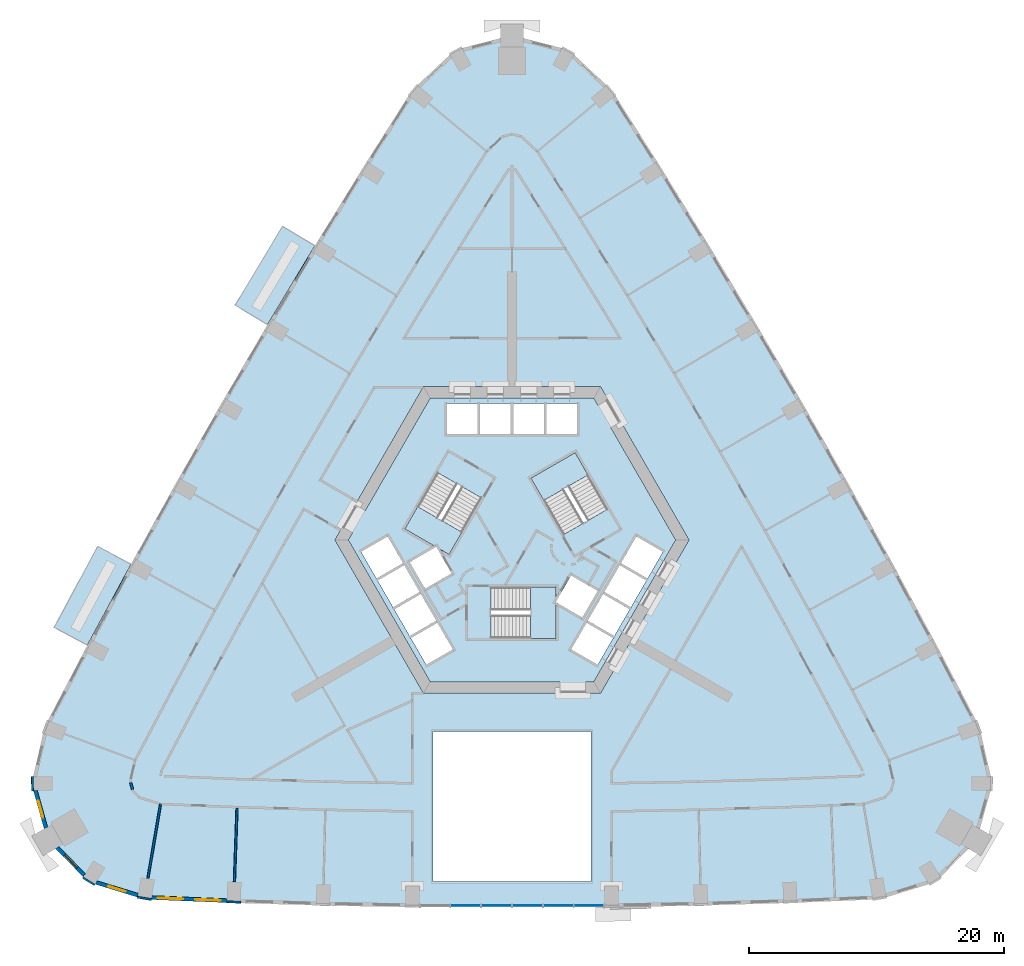
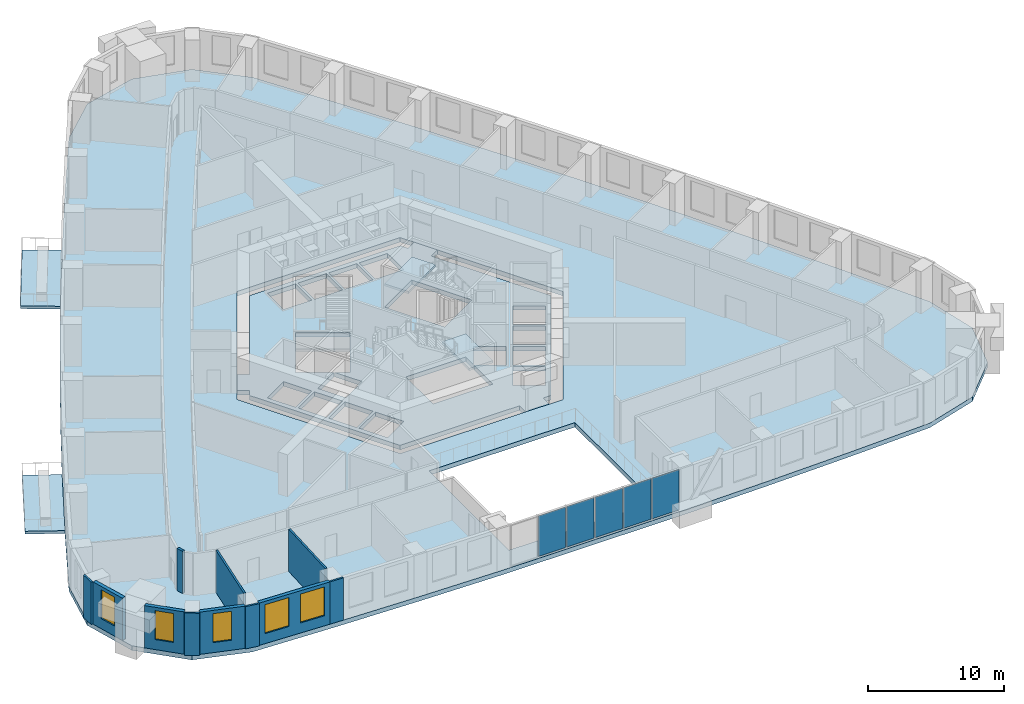
# One storey, part 3 of 16: 11 walls, 7 slabs, 5 plates, 5 windows, 5 openings, 4 elements without a shape of their own.
"""IFC4 building model written with IfcOpenShell, lengths in metres."""

from ifc_helpers import new_model, si_unit, direction, frame, frame_2d, origin, origin_2d, place, context, subcontext, project, spatial, polyline, rectangle, outline, extrude, material, layer, layer_set, type_object, element, fill, aggregate, save


model = new_model("IFC4")

# Units and contexts
model_context = context("Model", 3, precision=1e-05, world=origin(), true_north=direction((0.0, 1.0)))
body_context = subcontext(model_context, "Body", "Model", "MODEL_VIEW")
ifc_project = project(units=[si_unit("LENGTHUNIT", "METRE"), si_unit("AREAUNIT", "SQUARE_METRE"), si_unit("VOLUMEUNIT", "CUBIC_METRE"), si_unit("PLANEANGLEUNIT", "RADIAN"), si_unit("MASSUNIT", "GRAM", prefix="KILO")], contexts=[model_context])

# Site, building, storey
site_placement = place(None, origin())
site = spatial("IfcSite", under=ifc_project, at=site_placement, CompositionType="ELEMENT")
building_placement = place(site_placement, origin())
building = spatial("IfcBuilding", under=site, at=building_placement, Name="Entoto Arch Interchange Tower", CompositionType="ELEMENT")
storey_placement = place(building_placement, frame((0.0, 0.0, 95.0)))
storey = spatial("IfcBuildingStorey", under=building, at=storey_placement, Name="L20", CompositionType="ELEMENT", Elevation=95.0)

# Slabs
ifc_material_1 = material(Name="Board-marked precast concrete C50/60", Category="concrete")
ifc_layer_1 = layer(ifc_material_1, 0.25)
ifc_layer_set_1 = layer_set([ifc_layer_1], Name="Board-marked precast concrete C50/60")
slab_type_1 = type_object("IfcSlabType", Name="BALCONY DECK PRECAST 250", PredefinedType="FLOOR", material=ifc_layer_set_1)
slab_1_placement = place(storey_placement, frame((0.0, 0.0, -0.25)))
element("IfcSlab", 1, at=slab_1_placement, inside=storey, type_object=slab_type_1, Name="Planted balcony NW-03 L20", PredefinedType="FLOOR", context=body_context, shape_type="SweptSolid", body=[
    extrude(outline(polyline([(-15.43310546875, 25.532958984375), (-19.14111328125, 19.363037109375), (-21.669921875, 20.883056640625), (-17.9619140625, 27.052978515625), (-15.43310546875, 25.532958984375)])), origin(), (0.0, 0.0, 1.0), 0.25),
])
slab_2_placement = place(storey_placement, frame((0.0, 0.0, -0.25)))
element("IfcSlab", 2, at=slab_2_placement, inside=storey, type_object=slab_type_1, Name="Planted balcony NW-07 L20", PredefinedType="FLOOR", context=body_context, shape_type="SweptSolid", body=[
    extrude(outline(polyline([(-29.8291015625, 0.59912109375), (-33.243896484375, -5.738037109375), (-35.841064453125, -4.339111328125), (-32.426025390625, 1.998046875), (-29.8291015625, 0.59912109375)])), origin(), (0.0, 0.0, 1.0), 0.25),
])
ifc_material_2 = material(Name="Concrete C40/50", Category="concrete")
ifc_layer_2 = layer(ifc_material_2, 0.39990234375)
ifc_layer_set_2 = layer_set([ifc_layer_2], Name="Concrete C40/50")
slab_type_2 = type_object("IfcSlabType", Name="Core floor slab 400 C40/50", PredefinedType="FLOOR", material=ifc_layer_set_2)
slab_3_placement = place(storey_placement, frame((0.0, 0.0, -0.39990234375)))
element("IfcSlab", 3, at=slab_3_placement, inside=storey, type_object=slab_type_2, Name="Core floor slab L20", PredefinedType="FLOOR", context=body_context, shape_type="SweptSolid", body=[
    extrude(outline(polyline([(5.75, -9.5), (3.75, -9.5), (3.75, -8.60009765625), (-6.408935546875, -8.60009765625), (-12.81689453125, 2.5), (-12.488037109375, 3.070068359375), (-13.26708984375, 3.52001953125), (-12.26708984375, 5.251953125), (-11.488037109375, 4.802001953125), (-6.408935546875, 13.60009765625), (6.408935546875, 13.60009765625), (6.738037109375, 13.030029296875), (7.51708984375, 13.47998046875), (8.51708984375, 11.748046875), (7.738037109375, 11.298095703125), (12.81689453125, 2.5), (6.408935546875, -8.60009765625), (5.75, -8.60009765625), (5.75, -9.5)]), holes=[polyline([(-4.637939453125, -6.06689453125), (-5.837890625, -3.988037109375), (-7.916015625, -5.18798828125), (-6.716064453125, -7.26708984375), (-4.637939453125, -6.06689453125)]), polyline([(-5.93798828125, -3.81494140625), (-7.137939453125, -1.737060546875), (-9.216064453125, -2.93701171875), (-8.01611328125, -5.014892578125), (-5.93798828125, -3.81494140625)]), polyline([(5.5048828125, -3.56494140625), (6.705078125, -1.487060546875), (4.626953125, -0.287109375), (3.449951171875, -2.324951171875), (3.449951171875, -1.199951171875), (-1.64990234375, -1.199951171875), (-1.64990234375, -5.199951171875), (3.449951171875, -5.199951171875), (3.449951171875, -2.3779296875), (5.5048828125, -3.56494140625)]), polyline([(-7.238037109375, -1.56298828125), (-8.43798828125, 0.514892578125), (-10.51611328125, -0.68505859375), (-9.31591796875, -2.762939453125), (-7.238037109375, -1.56298828125)]), polyline([(-4.72705078125, -0.113037109375), (-5.904052734375, 1.925048828125), (-4.928955078125, 1.362060546875), (-2.37890625, 5.779052734375), (-5.843017578125, 7.779052734375), (-8.39306640625, 3.362060546875), (-5.949951171875, 1.951904296875), (-8.0048828125, 0.764892578125), (-6.804931640625, -1.31298828125), (-4.72705078125, -0.113037109375)]), polyline([(-8.5380859375, 0.68798828125), (-9.738037109375, 2.76708984375), (-11.81591796875, 1.56689453125), (-10.615966796875, -0.511962890625), (-8.5380859375, 0.68798828125)]), polyline([(-5.10009765625, 10.800048828125), (-2.699951171875, 10.800048828125), (-2.699951171875, 13.199951171875), (-5.10009765625, 13.199951171875), (-5.10009765625, 10.800048828125)]), polyline([(-2.5, 10.800048828125), (-0.10009765625, 10.800048828125), (-0.10009765625, 13.199951171875), (-2.5, 13.199951171875), (-2.5, 10.800048828125)]), polyline([(5.837890625, -3.988037109375), (4.637939453125, -6.06689453125), (6.716064453125, -7.26708984375), (7.916015625, -5.18798828125), (5.837890625, -3.988037109375)]), polyline([(7.137939453125, -1.737060546875), (5.93798828125, -3.81494140625), (8.01611328125, -5.014892578125), (9.216064453125, -2.93701171875), (7.137939453125, -1.737060546875)]), polyline([(8.43798828125, 0.514892578125), (7.238037109375, -1.56298828125), (9.31591796875, -2.762939453125), (10.51611328125, -0.68505859375), (8.43798828125, 0.514892578125)]), polyline([(9.738037109375, 2.76708984375), (8.5380859375, 0.68798828125), (10.615966796875, -0.511962890625), (11.81591796875, 1.56689453125), (9.738037109375, 2.76708984375)]), polyline([(4.029052734375, 2.9208984375), (7.492919921875, 4.9208984375), (4.943115234375, 9.337890625), (1.47900390625, 7.337890625), (4.029052734375, 2.9208984375)]), polyline([(0.10009765625, 13.199951171875), (0.10009765625, 10.800048828125), (2.5, 10.800048828125), (2.5, 13.199951171875), (0.10009765625, 13.199951171875)]), polyline([(2.699951171875, 13.199951171875), (2.699951171875, 10.800048828125), (5.10009765625, 10.800048828125), (5.10009765625, 13.199951171875), (2.699951171875, 13.199951171875)])]), origin(), (0.0, 0.0, 1.0), 0.39990234375),
])

# Stair, slab
stair_type = type_object("IfcStairType", Name="EXIT STAIR RC 1800", PredefinedType="HALF_TURN_STAIR", material=ifc_material_2)
stair_1_placement = place(storey_placement, origin())
stair_1 = element("IfcStair", 4, at=stair_1_placement, inside=storey, type_object=stair_type, Name="L20 Exit stair S", PredefinedType="HALF_TURN_STAIR")
ifc_layer_3 = layer(ifc_material_2, 0.199951171875)
ifc_layer_set_3 = layer_set([ifc_layer_3], Name="Concrete C40/50")
slab_type_3 = type_object("IfcSlabType", Name="EXIT STAIR LANDING RC 200", PredefinedType="LANDING", material=ifc_layer_set_3)
slab_4_placement = place(storey_placement, frame((0.0, 0.0, 1.89990234375)))
slab_4 = element("IfcSlab", 5, at=slab_4_placement, type_object=slab_type_3, Name="ST-S landing 1", PredefinedType="LANDING", context=body_context, shape_type="SweptSolid", body=[
    extrude(outline(polyline([(1.429931640625, -5.199951171875), (3.449951171875, -5.199951171875), (3.449951171875, -1.199951171875), (1.429931640625, -1.199951171875), (1.429931640625, -5.199951171875)])), origin(), (0.0, 0.0, 1.0), 0.2001953125),
])
aggregate(stair_1, [slab_4])

stair_2_placement = place(storey_placement, origin())
stair_2 = element("IfcStair", 6, at=stair_2_placement, inside=storey, type_object=stair_type, Name="L20 Exit stair NE", PredefinedType="HALF_TURN_STAIR")
slab_5_placement = place(storey_placement, frame((0.0, 0.0, 1.89990234375)))
slab_5 = element("IfcSlab", 7, at=slab_5_placement, type_object=slab_type_3, Name="ST-NE landing 1", PredefinedType="LANDING", context=body_context, shape_type="SweptSolid", body=[
    extrude(outline(polyline([(5.953369140625, 7.58837890625), (4.943359375, 9.337890625), (1.479248046875, 7.337890625), (2.4892578125, 5.58837890625), (5.953369140625, 7.58837890625)])), origin(), (0.0, 0.0, 1.0), 0.2001953125),
])
aggregate(stair_2, [slab_5])

stair_3_placement = place(storey_placement, origin())
stair_3 = element("IfcStair", 8, at=stair_3_placement, inside=storey, type_object=stair_type, Name="L20 Exit stair NW", PredefinedType="HALF_TURN_STAIR")
slab_6_placement = place(storey_placement, frame((0.0, 0.0, 1.89990234375)))
slab_6 = element("IfcSlab", 9, at=slab_6_placement, type_object=slab_type_3, Name="ST-NW landing 1", PredefinedType="LANDING", context=body_context, shape_type="SweptSolid", body=[
    extrude(outline(polyline([(-7.38330078125, 5.111572265625), (-8.393310546875, 3.3623046875), (-4.92919921875, 1.3623046875), (-3.919189453125, 3.111572265625), (-7.38330078125, 5.111572265625)])), origin(), (0.0, 0.0, 1.0), 0.2001953125),
])
aggregate(stair_3, [slab_6])

# Curtain wall, plates
ifc_material_3 = material(Name="Aluminium, anodised", Category="aluminium")
curtain_wall_type = type_object("IfcCurtainWallType", Name="CURTAIN WALL ATRIUM", PredefinedType="NOTDEFINED", material=ifc_material_3)
curtain_wall_placement = place(storey_placement, origin())
curtain_wall = element("IfcCurtainWall", 10, at=curtain_wall_placement, inside=storey, type_object=curtain_wall_type, Name="Atrium glazing S-04 L20", PredefinedType="NOTDEFINED")
ifc_material_4 = material(Name="Clear glass, low-e double glazed", Category="glass")
ifc_layer_4 = layer(ifc_material_4, 0.031982421875)
ifc_layer_set_4 = layer_set([ifc_layer_4], Name="Clear glass, low-e double glazed")
plate_type = type_object("IfcPlateType", Name="GLAZING PANEL ATRIUM 32", PredefinedType="CURTAIN_PANEL", material=ifc_layer_set_4)
plate_1_placement = place(storey_placement, frame((-3.625, -26.1259765625, 0.080078125), z_axis=(0.0, 0.0, 1.0), x_axis=(1.0, 0.0, 0.0)))
plate_1 = element("IfcPlate", 11, at=plate_1_placement, type_object=plate_type, Name="CWA panel 2.1", PredefinedType="CURTAIN_PANEL", context=body_context, shape_type="SweptSolid", body=[
    extrude(rectangle(XDim=2.316650390625, YDim=0.031982421875, at=origin_2d()), origin(), (0.0, 0.0, 1.0), 3.639892578125),
])
plate_2_placement = place(storey_placement, frame((-1.208251953125, -26.1259765625, 0.080078125), z_axis=(0.0, 0.0, 1.0), x_axis=(1.0, 0.0, 0.0)))
plate_2 = element("IfcPlate", 12, at=plate_2_placement, type_object=plate_type, Name="CWA panel 3.1", PredefinedType="CURTAIN_PANEL", context=body_context, shape_type="SweptSolid", body=[
    extrude(rectangle(XDim=2.316650390625, YDim=0.031982421875, at=origin_2d()), origin(), (0.0, 0.0, 1.0), 3.639892578125),
])
plate_3_placement = place(storey_placement, frame((1.208251953125, -26.1259765625, 0.080078125), z_axis=(0.0, 0.0, 1.0), x_axis=(1.0, 0.0, 0.0)))
plate_3 = element("IfcPlate", 13, at=plate_3_placement, type_object=plate_type, Name="CWA panel 4.1", PredefinedType="CURTAIN_PANEL", context=body_context, shape_type="SweptSolid", body=[
    extrude(rectangle(XDim=2.316650390625, YDim=0.031982421875, at=origin_2d()), origin(), (0.0, 0.0, 1.0), 3.639892578125),
])
plate_4_placement = place(storey_placement, frame((3.625, -26.1259765625, 0.080078125), z_axis=(0.0, 0.0, 1.0), x_axis=(1.0, 0.0, 0.0)))
plate_4 = element("IfcPlate", 14, at=plate_4_placement, type_object=plate_type, Name="CWA panel 5.1", PredefinedType="CURTAIN_PANEL", context=body_context, shape_type="SweptSolid", body=[
    extrude(rectangle(XDim=2.316650390625, YDim=0.031982421875, at=origin_2d()), origin(), (0.0, 0.0, 1.0), 3.639892578125),
])
plate_5_placement = place(storey_placement, frame((6.0166015625, -26.1259765625, 0.080078125), z_axis=(0.0, 0.0, 1.0), x_axis=(1.0, 0.0, 0.0)))
plate_5 = element("IfcPlate", 15, at=plate_5_placement, type_object=plate_type, Name="CWA panel 6.1", PredefinedType="CURTAIN_PANEL", context=body_context, shape_type="SweptSolid", body=[
    extrude(rectangle(XDim=2.2666015625, YDim=0.031982421875, at=origin_2d()), origin(), (0.0, 0.0, 1.0), 3.639892578125),
])
aggregate(curtain_wall, [plate_1, plate_2, plate_3, plate_4, plate_5])

# Slab
ifc_layer_5 = layer(ifc_material_2, 0.39990234375)
ifc_layer_set_5 = layer_set([ifc_layer_5], Name="Concrete C40/50")
slab_type_4 = type_object("IfcSlabType", Name="Post-tensioned flat plate 400 C40/50", PredefinedType="FLOOR", material=ifc_layer_set_5)
slab_7_placement = place(storey_placement, frame((0.0, 0.0, -0.39990234375)))
element("IfcSlab", 16, at=slab_7_placement, inside=storey, type_object=slab_type_4, Name="Floor slab L20", PredefinedType="FLOOR", context=body_context, shape_type="SweptSolid", body=[
    extrude(outline(polyline([(-28.783935546875, -25.626953125), (-21.7890625, -25.9140625), (-14.794921875, -26.1220703125), (-7.800048828125, -26.2509765625), (7.800048828125, -26.2509765625), (14.794921875, -26.1220703125), (21.7890625, -25.9140625), (28.783935546875, -25.626953125), (33.1708984375, -24.284912109375), (36.376953125, -21.0029296875), (37.616943359375, -16.5849609375), (36.5849609375, -12.114013671875), (33.243896484375, -5.738037109375), (29.8291015625, 0.59912109375), (26.339111328125, 6.89501953125), (22.77587890625, 13.14990234375), (19.14111328125, 19.363037109375), (15.43310546875, 25.532958984375), (11.653076171875, 31.658935546875), (7.802001953125, 37.740966796875), (4.446044921875, 40.868896484375), (0.0, 42.0048828125), (-4.446044921875, 40.868896484375), (-7.802001953125, 37.740966796875), (-11.653076171875, 31.658935546875), (-15.43310546875, 25.532958984375), (-19.14111328125, 19.363037109375), (-22.77587890625, 13.14990234375), (-26.339111328125, 6.89501953125), (-29.8291015625, 0.59912109375), (-33.243896484375, -5.738037109375), (-36.5849609375, -12.114013671875), (-37.616943359375, -16.5849609375), (-36.376953125, -21.0029296875), (-33.1708984375, -24.284912109375), (-28.783935546875, -25.626953125)]), holes=[polyline([(6.199951171875, -24.2509765625), (6.199951171875, -12.5), (-6.199951171875, -12.5), (-6.199951171875, -24.2509765625), (6.199951171875, -24.2509765625)]), polyline([(13.85595703125, 2.5), (6.927978515625, 14.5), (-6.927978515625, 14.5), (-13.85595703125, 2.5), (-6.927978515625, -9.5), (6.927978515625, -9.5), (13.85595703125, 2.5)])]), origin(), (0.0, 0.0, 1.0), 0.39990234375),
])

# Walls
ifc_material_5 = material(Name="Gypsum board partition on steel studs", Category="steel")
ifc_layer_6 = layer(ifc_material_5, 0.14990234375)
ifc_layer_set_6 = layer_set([ifc_layer_6], Name="Gypsum board partition on steel studs")
wall_type_1 = type_object("IfcWallType", Name="PARTITION 150", PredefinedType="PARTITIONING", material=ifc_layer_set_6)
wall_1_placement = place(storey_placement, frame((-27.512939453125, -18.173095703125, 0.0), z_axis=(0.0, 0.0, 1.0), x_axis=(-0.168033262309, -0.985781326034, 0.0)))
element("IfcWall", 17, at=wall_1_placement, inside=storey, type_object=wall_type_1, Name="wall:L20:p129", PredefinedType="PARTITIONING", context=body_context, shape_type="SweptSolid", body=[
    extrude(rectangle(XDim=5.8916015625, YDim=0.14990234375, at=frame_2d((2.94580078125, 0.0))), origin(), (0.0, 0.0, 1.0), 3.800048828125),
])
wall_2_placement = place(storey_placement, frame((-21.527099609375, -18.51904296875, 0.0), z_axis=(0.0, 0.0, 1.0), x_axis=(-0.035408838092, -0.999372910472, 0.0)))
element("IfcWall", 18, at=wall_2_placement, inside=storey, type_object=wall_type_1, Name="wall:L20:p130", PredefinedType="PARTITIONING", context=body_context, shape_type="SweptSolid", body=[
    extrude(rectangle(XDim=5.729736328125, YDim=0.14990234375, at=frame_2d((2.86474609375, 0.0))), origin(), (0.0, 0.0, 1.0), 3.800048828125),
])
ifc_layer_7 = layer(ifc_material_5, 0.199951171875)
ifc_layer_set_7 = layer_set([ifc_layer_7], Name="Gypsum board partition on steel studs")
wall_type_2 = type_object("IfcWallType", Name="PARTITION 200", PredefinedType="PARTITIONING", material=ifc_layer_set_7)
wall_3_placement = place(storey_placement, frame((-29.700927734375, -17.035888671875, 0.0), z_axis=(0.0, 0.0, 1.0), x_axis=(-0.269792639482, 0.962918444979, 0.0)))
element("IfcWall", 19, at=wall_3_placement, inside=storey, type_object=wall_type_2, Name="wall:L20:p061", PredefinedType="PARTITIONING", context=body_context, shape_type="SweptSolid", body=[
    extrude(rectangle(XDim=0.556640625, YDim=0.199951171875, at=frame_2d((0.2783203125, 0.0))), origin(), (0.0, 0.0, 1.0), 3.800048828125),
])

# Wall, openings, windows
ifc_material_6 = material(Name="Welded tuff (ignimbrite) cladding, warm buff", Category="masonry")
ifc_layer_8 = layer(ifc_material_6, 0.300048828125)
ifc_layer_set_8 = layer_set([ifc_layer_8], Name="Welded tuff (ignimbrite) cladding, warm buff")
wall_type_3 = type_object("IfcWallType", Name="STONE INFILL WALL 300", PredefinedType="STANDARD", material=ifc_layer_set_8)
wall_4_placement = place(storey_placement, frame((-28.205078125, -25.5009765625, 0.0), z_axis=(0.0, 0.0, 1.0), x_axis=(0.999159360905, -0.040994774244, 0.0)))
wall_4 = element("IfcWall", 20, at=wall_4_placement, inside=storey, type_object=wall_type_3, Name="Facade wall S-01 L20", PredefinedType="STANDARD", context=body_context, shape_type="SweptSolid", body=[
    extrude(rectangle(XDim=5.8779296875, YDim=0.300048828125, at=frame_2d((2.93896484375, 0.0))), origin(), (0.0, 0.0, 1.0), 3.800048828125),
])
opening_1_placement = place(wall_4_placement, frame((0.468994140625, 0.0, 0.89990234375)))
opening_1 = element("IfcOpeningElement", 21, at=opening_1_placement, cuts=wall_4, Name="Opening WO-C", PredefinedType="OPENING", context=body_context, shape_type="SweptSolid", body=[
    extrude(rectangle(XDim=2.0, YDim=2.60009765625, at=frame_2d((1.0, 1.300048828125))), frame((0.0, 0.16015625, 0.0), z_axis=(0.0, -1.0, 0.0), x_axis=(1.0, 0.0, 0.0)), (0.0, 0.0, 1.0), 0.320068359375),
])
opening_2_placement = place(wall_4_placement, frame((3.407958984375, 0.0, 0.89990234375)))
opening_2 = element("IfcOpeningElement", 22, at=opening_2_placement, cuts=wall_4, Name="Opening WO-C", PredefinedType="OPENING", context=body_context, shape_type="SweptSolid", body=[
    extrude(rectangle(XDim=2.0, YDim=2.60009765625, at=frame_2d((1.0, 1.300048828125))), frame((0.0, 0.16015625, 0.0), z_axis=(0.0, -1.0, 0.0), x_axis=(1.0, 0.0, 0.0)), (0.0, 0.0, 1.0), 0.320068359375),
])
window_type_1 = type_object("IfcWindowType", Name="WINDOW WO-C 2000x2600", PartitioningType="DOUBLE_PANEL_VERTICAL", PredefinedType="WINDOW", material=ifc_material_4)
window_1_placement = place(opening_1_placement, origin())
window_1 = element("IfcWindow", 23, at=window_1_placement, inside=storey, type_object=window_type_1, Name="Window WO-C S-01 L20", OverallHeight=2.60009765625, OverallWidth=2.0, PartitioningType="SINGLE_PANEL", PredefinedType="WINDOW", context=body_context, shape_type="SweptSolid", body=[
    extrude(rectangle(XDim=2.0, YDim=2.60009765625, at=frame_2d((1.0, 1.300048828125))), frame((0.0, 0.030029296875, 0.0), z_axis=(0.0, -1.0, 0.0), x_axis=(1.0, 0.0, 0.0)), (0.0, 0.0, 1.0), 0.06005859375),
])
fill(opening_1, window_1)
window_2_placement = place(opening_2_placement, origin())
window_2 = element("IfcWindow", 24, at=window_2_placement, inside=storey, type_object=window_type_1, Name="Window WO-C S-01 L20", OverallHeight=2.60009765625, OverallWidth=2.0, PartitioningType="SINGLE_PANEL", PredefinedType="WINDOW", context=body_context, shape_type="SweptSolid", body=[
    extrude(rectangle(XDim=2.0, YDim=2.60009765625, at=frame_2d((1.0, 1.300048828125))), frame((0.0, 0.030029296875, 0.0), z_axis=(0.0, -1.0, 0.0), x_axis=(1.0, 0.0, 0.0)), (0.0, 0.0, 1.0), 0.06005859375),
])
fill(opening_2, window_2)

# Wall, opening, window
wall_5_placement = place(storey_placement, frame((-37.30908203125, -17.126953125, 0.0), z_axis=(0.0, 0.0, 1.0), x_axis=(0.270176120308, -0.962810918102, 0.0)))
wall_5 = element("IfcWall", 25, at=wall_5_placement, inside=storey, type_object=wall_type_3, Name="Facade wall SW-02 L20", PredefinedType="STANDARD", context=body_context, shape_type="SweptSolid", body=[
    extrude(rectangle(XDim=3.017333984375, YDim=0.300048828125, at=frame_2d((1.5087890625, 0.0))), origin(), (0.0, 0.0, 1.0), 3.800048828125),
])
opening_3_placement = place(wall_5_placement, frame((0.80908203125, 0.0, 0.89990234375)))
opening_3 = element("IfcOpeningElement", 26, at=opening_3_placement, cuts=wall_5, Name="Opening WO-B", PredefinedType="OPENING", context=body_context, shape_type="SweptSolid", body=[
    extrude(rectangle(XDim=1.39990234375, YDim=2.60009765625, at=frame_2d((0.699951171875, 1.300048828125))), frame((0.0, 0.16015625, 0.0), z_axis=(0.0, -1.0, 0.0), x_axis=(1.0, 0.0, 0.0)), (0.0, 0.0, 1.0), 0.320068359375),
])
window_type_2 = type_object("IfcWindowType", Name="WINDOW WO-B 1400x2600", PartitioningType="DOUBLE_PANEL_VERTICAL", PredefinedType="WINDOW", material=ifc_material_4)
window_3_placement = place(opening_3_placement, origin())
window_3 = element("IfcWindow", 27, at=window_3_placement, inside=storey, type_object=window_type_2, Name="Window WO-B SW-02 L20", OverallHeight=2.60009765625, OverallWidth=1.39990234375, PartitioningType="SINGLE_PANEL", PredefinedType="WINDOW", context=body_context, shape_type="SweptSolid", body=[
    extrude(rectangle(XDim=1.39990234375, YDim=2.60009765625, at=frame_2d((0.699951171875, 1.300048828125))), frame((0.0, 0.030029296875, 0.0), z_axis=(0.0, -1.0, 0.0), x_axis=(1.0, 0.0, 0.0)), (0.0, 0.0, 1.0), 0.06005859375),
])
fill(opening_3, window_3)

wall_6_placement = place(storey_placement, frame((-35.594970703125, -21.589111328125, 0.0), z_axis=(0.0, 0.0, 1.0), x_axis=(0.698928244773, -0.715191798512, 0.0)))
wall_6 = element("IfcWall", 28, at=wall_6_placement, inside=storey, type_object=wall_type_3, Name="Facade wall SW-03 L20", PredefinedType="STANDARD", context=body_context, shape_type="SweptSolid", body=[
    extrude(rectangle(XDim=3.017333984375, YDim=0.300048828125, at=frame_2d((1.5087890625, 0.0))), origin(), (0.0, 0.0, 1.0), 3.800048828125),
])
opening_4_placement = place(wall_6_placement, frame((0.80908203125, 0.0, 0.89990234375)))
opening_4 = element("IfcOpeningElement", 29, at=opening_4_placement, cuts=wall_6, Name="Opening WO-B", PredefinedType="OPENING", context=body_context, shape_type="SweptSolid", body=[
    extrude(rectangle(XDim=1.39990234375, YDim=2.60009765625, at=frame_2d((0.699951171875, 1.300048828125))), frame((0.0, 0.16015625, 0.0), z_axis=(0.0, -1.0, 0.0), x_axis=(1.0, 0.0, 0.0)), (0.0, 0.0, 1.0), 0.320068359375),
])
window_4_placement = place(opening_4_placement, origin())
window_4 = element("IfcWindow", 30, at=window_4_placement, inside=storey, type_object=window_type_2, Name="Window WO-B SW-03 L20", OverallHeight=2.60009765625, OverallWidth=1.39990234375, PartitioningType="SINGLE_PANEL", PredefinedType="WINDOW", context=body_context, shape_type="SweptSolid", body=[
    extrude(rectangle(XDim=1.39990234375, YDim=2.60009765625, at=frame_2d((0.699951171875, 1.300048828125))), frame((0.0, 0.030029296875, 0.0), z_axis=(0.0, -1.0, 0.0), x_axis=(1.0, 0.0, 0.0)), (0.0, 0.0, 1.0), 0.06005859375),
])
fill(opening_4, window_4)

wall_7_placement = place(storey_placement, frame((-32.549072265625, -24.319091796875, 0.0), z_axis=(0.0, 0.0, 1.0), x_axis=(0.956317661006, -0.292329490895, 0.0)))
wall_7 = element("IfcWall", 31, at=wall_7_placement, inside=storey, type_object=wall_type_3, Name="Facade wall SW-04 L20", PredefinedType="STANDARD", context=body_context, shape_type="SweptSolid", body=[
    extrude(rectangle(XDim=3.409912109375, YDim=0.300048828125, at=frame_2d((1.705078125, 0.0))), origin(), (0.0, 0.0, 1.0), 3.800048828125),
])
opening_5_placement = place(wall_7_placement, frame((1.0048828125, 0.0, 0.89990234375)))
opening_5 = element("IfcOpeningElement", 32, at=opening_5_placement, cuts=wall_7, Name="Opening WO-B", PredefinedType="OPENING", context=body_context, shape_type="SweptSolid", body=[
    extrude(rectangle(XDim=1.39990234375, YDim=2.60009765625, at=frame_2d((0.699951171875, 1.300048828125))), frame((0.0, 0.16015625, 0.0), z_axis=(0.0, -1.0, 0.0), x_axis=(1.0, 0.0, 0.0)), (0.0, 0.0, 1.0), 0.320068359375),
])
window_5_placement = place(opening_5_placement, origin())
window_5 = element("IfcWindow", 33, at=window_5_placement, inside=storey, type_object=window_type_2, Name="Window WO-B SW-04 L20", OverallHeight=2.60009765625, OverallWidth=1.39990234375, PartitioningType="SINGLE_PANEL", PredefinedType="WINDOW", context=body_context, shape_type="SweptSolid", body=[
    extrude(rectangle(XDim=1.39990234375, YDim=2.60009765625, at=frame_2d((0.699951171875, 1.300048828125))), frame((0.0, 0.030029296875, 0.0), z_axis=(0.0, -1.0, 0.0), x_axis=(1.0, 0.0, 0.0)), (0.0, 0.0, 1.0), 0.06005859375),
])
fill(opening_5, window_5)

# Walls
ifc_layer_9 = layer(ifc_material_6, 0.14990234375)
ifc_layer_set_9 = layer_set([ifc_layer_9], Name="Welded tuff (ignimbrite) cladding, warm buff")
wall_type_4 = type_object("IfcWallType", Name="STONE PIER CLADDING 150", PredefinedType="STANDARD", material=ifc_layer_set_9)
wall_8_placement = place(storey_placement, frame((-29.31396484375, -25.4609375, 0.0), z_axis=(0.0, 0.0, 1.0), x_axis=(0.985763338892, -0.168138751323, 0.0)))
element("IfcWall", 34, at=wall_8_placement, inside=storey, type_object=wall_type_4, Name="Stone pier S01 L20", PredefinedType="STANDARD", context=body_context, shape_type="SweptSolid", body=[
    extrude(rectangle(XDim=1.1005859375, YDim=0.14990234375, at=frame_2d((0.55029296875, 0.0))), origin(), (0.0, 0.0, 1.0), 3.800048828125),
])
wall_9_placement = place(storey_placement, frame((-22.3359375, -25.820068359375, 0.0), z_axis=(0.0, 0.0, 1.0), x_axis=(0.999376638472, -0.035303462679, 0.0)))
element("IfcWall", 35, at=wall_9_placement, inside=storey, type_object=wall_type_4, Name="Stone pier S02 L20", PredefinedType="STANDARD", context=body_context, shape_type="SweptSolid", body=[
    extrude(rectangle(XDim=1.099609375, YDim=0.14990234375, at=frame_2d((0.5498046875, 0.0))), origin(), (0.0, 0.0, 1.0), 3.800048828125),
])
for number, where, z_axis, x_axis, name in (
    (36, (-37.554931640625, -16.032958984375, 0.0), (0.0, 0.0, 1.0), (0.023517683673, -0.999723421029, 0.0), "Stone pier SW1 L20"),
    (37, (-33.60205078125, -23.93505859375, 0.0), (0.0, 0.0, 1.0), (0.854245682901, -0.519869515594, 0.0), "Stone pier SW3 L20"),
):
    element("IfcWall", number, at=place(storey_placement, frame(where, z_axis=z_axis, x_axis=x_axis)), inside=storey, type_object=wall_type_4, Name=name, PredefinedType="STANDARD", context=body_context, shape_type="SweptSolid", body=[
        extrude(rectangle(XDim=1.100341796875, YDim=0.14990234375, at=frame_2d((0.55029296875, 0.0))), origin(), (0.0, 0.0, 1.0), 3.800048828125),
    ])

save(model, "model.ifc")
